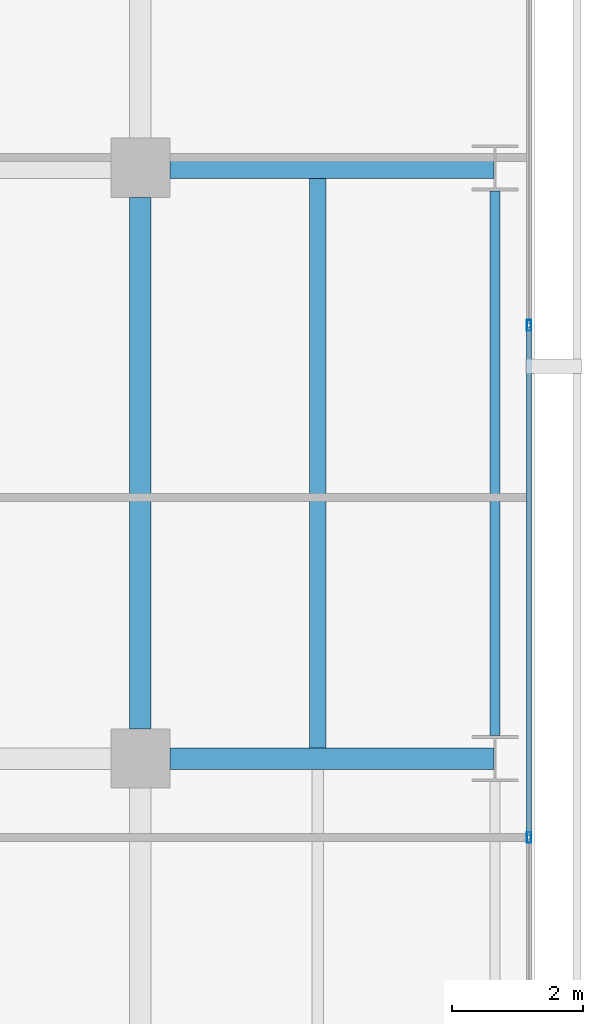
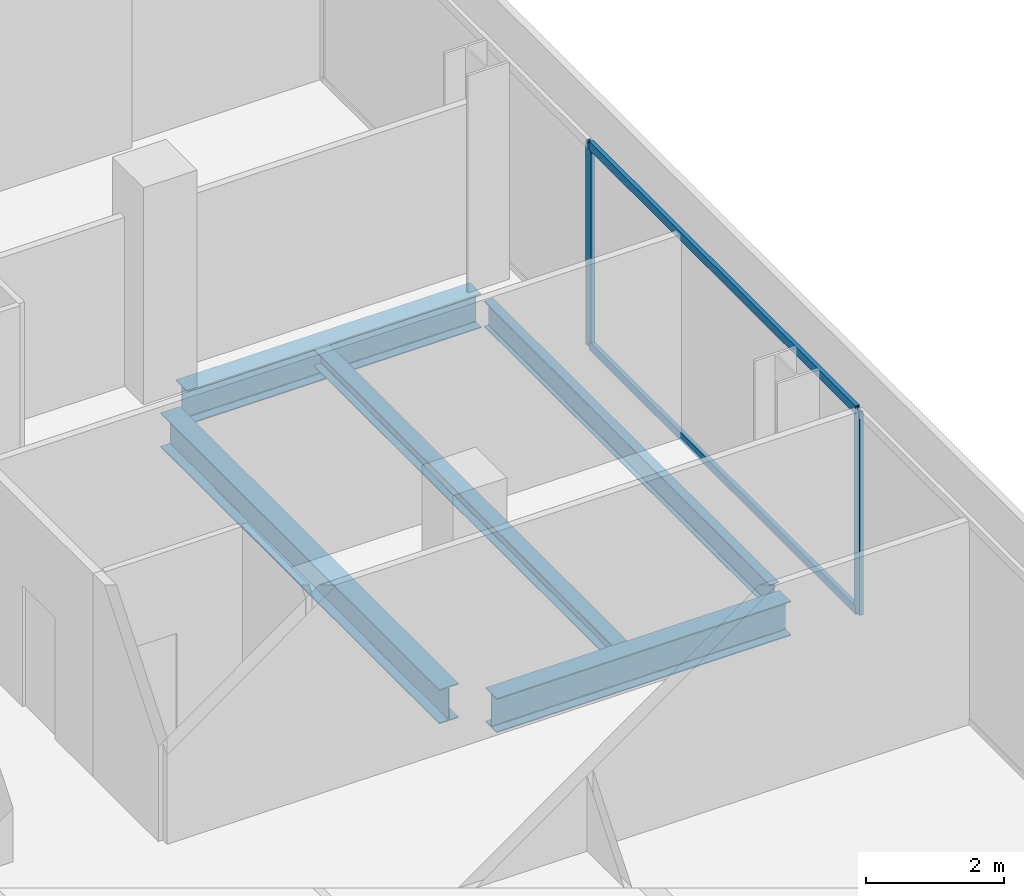
# One storey, part 28 of 40: 5 beams, 4 members, 1 element without a shape of its own.
"""IFC4 building model written with IfcOpenShell, lengths in metres."""

from ifc_helpers import new_model, si_unit, direction, frame, origin, origin_2d, place, context, subcontext, project, spatial, hollow_rectangle, i_section, extrude, material, layer, layer_set, material_profile, profile_set, type_object, element, aggregate, save


model = new_model("IFC4")

# Units and contexts
model_context = context("Model", 3, precision=1e-05, world=origin(), true_north=direction((0.0, 1.0)))
body_context = subcontext(model_context, "Body", "Model", "MODEL_VIEW")
ifc_project = project(units=[si_unit("LENGTHUNIT", "METRE"), si_unit("AREAUNIT", "SQUARE_METRE"), si_unit("VOLUMEUNIT", "CUBIC_METRE"), si_unit("PLANEANGLEUNIT", "RADIAN"), si_unit("MASSUNIT", "GRAM", prefix="KILO")], contexts=[model_context])

# Site, building, storey
site_placement = place(None, origin())
site = spatial("IfcSite", under=ifc_project, at=site_placement, CompositionType="ELEMENT")
building_placement = place(site_placement, origin())
building = spatial("IfcBuilding", under=site, at=building_placement, Name="Maruvema Waterfront Hotel and Observation Tower", CompositionType="ELEMENT")
storey_placement = place(building_placement, frame((0.0, 0.0, 80.85009765625)))
storey = spatial("IfcBuildingStorey", under=building, at=storey_placement, Name="L19", CompositionType="ELEMENT", Elevation=80.85009765625)

# Curtain wall, members
ifc_material_1 = material(Name="Anodised bronze aluminium and solar-control low-E IGU", Category="aluminium")
ifc_layer = layer(ifc_material_1, 0.159912109375, Name="Zone 1 Bronze Inner Thermal Curtain Wall System CW-02")
ifc_layer_set = layer_set([ifc_layer], Name="Anodised bronze aluminium and solar-control low-E IGU")
curtain_wall_type = type_object("IfcCurtainWallType", Name="Zone 1 Bronze Inner Thermal Curtain Wall System CW-02", PredefinedType="USERDEFINED", material=ifc_layer_set)
curtain_wall_placement = place(storey_placement, origin())
curtain_wall = element("IfcCurtainWall", 1, at=curtain_wall_placement, inside=storey, type_object=curtain_wall_type, Name="L19 Curtain Wall CW-L19-E", ObjectType="UNITISED CURTAIN WALL", PredefinedType="USERDEFINED")
ifc_material_2 = material(Name="Anodised architectural bronze aluminium", Category="aluminium")
ifc_material_profile_1 = material_profile(ifc_material_2, hollow_rectangle(XDim=0.070068359375, YDim=0.14990234375, WallThickness=0.00390625, at=origin_2d()), Name="ALU-T70x150")
ifc_profile_set_1 = profile_set([ifc_material_profile_1], Name="Anodised architectural bronze aluminium")
member_type_1 = type_object("IfcMemberType", Name="Curtain Wall Horizontal Transom ALU-T70x150", PredefinedType="USERDEFINED", material=ifc_profile_set_1)
member_1_placement = place(storey_placement, frame((64.719970703125, 34.830078125, 0.02978515625), z_axis=(0.0, 1.0, 0.0), x_axis=(-1.0, 0.0, 0.0)))
member_1 = element("IfcMember", 2, at=member_1_placement, type_object=member_type_1, Name="CW-02 transom 5.1", ObjectType="TRANSOM", PredefinedType="USERDEFINED", context=body_context, shape_type="SweptSolid", body=[
    extrude(hollow_rectangle(XDim=0.070068359375, YDim=0.14990234375, WallThickness=0.00390625, at=origin_2d()), origin(), (0.0, 0.0, 1.0), 7.739990234375),
])
member_2_placement = place(storey_placement, frame((64.719970703125, 34.830078125, 3.579833984375), z_axis=(0.0, 1.0, 0.0), x_axis=(-1.0, 0.0, 0.0)))
member_2 = element("IfcMember", 3, at=member_2_placement, type_object=member_type_1, Name="CW-02 transom 5.2", ObjectType="TRANSOM", PredefinedType="USERDEFINED", context=body_context, shape_type="SweptSolid", body=[
    extrude(hollow_rectangle(XDim=0.070068359375, YDim=0.14990234375, WallThickness=0.00390625, at=origin_2d()), origin(), (0.0, 0.0, 1.0), 7.739990234375),
])
ifc_material_3 = material(Name="Anodised architectural bronze aluminium", Category="aluminium")
ifc_material_profile_2 = material_profile(ifc_material_3, hollow_rectangle(XDim=0.06494140625, YDim=0.1650390625, WallThickness=0.00390625, at=origin_2d()), Name="ALU-M65x165")
ifc_profile_set_2 = profile_set([ifc_material_profile_2], Name="Anodised architectural bronze aluminium")
member_type_2 = type_object("IfcMemberType", Name="Curtain Wall Primary Mullion ALU-M65x165", PredefinedType="MULLION", material=ifc_profile_set_2)
member_3_placement = place(storey_placement, frame((64.719970703125, 34.800048828125, 0.0), z_axis=(0.0, 0.0, 1.0), x_axis=(-1.0, 0.0, 0.0)))
member_3 = element("IfcMember", 4, at=member_3_placement, type_object=member_type_2, Name="CW-02 mullion 5", PredefinedType="MULLION", context=body_context, shape_type="SweptSolid", body=[
    extrude(hollow_rectangle(XDim=0.06494140625, YDim=0.1650390625, WallThickness=0.00390625, at=origin_2d()), origin(), (0.0, 0.0, 1.0), 3.60986328125),
])
member_4_placement = place(storey_placement, frame((64.719970703125, 42.60009765625, 0.0), z_axis=(0.0, 0.0, 1.0), x_axis=(-1.0, 0.0, 0.0)))
member_4 = element("IfcMember", 5, at=member_4_placement, type_object=member_type_2, Name="CW-02 mullion 6", PredefinedType="MULLION", context=body_context, shape_type="SweptSolid", body=[
    extrude(hollow_rectangle(XDim=0.06494140625, YDim=0.1650390625, WallThickness=0.00390625, at=origin_2d()), origin(), (0.0, 0.0, 1.0), 3.60986328125),
])
aggregate(curtain_wall, [member_3, member_4, member_1, member_2])

# Beams
ifc_material_4 = material(Name="Steel ASTM A572 Grade 50", Category="steel")
ifc_material_profile_3 = material_profile(ifc_material_4, i_section(OverallWidth=0.153076171875, OverallDepth=0.455078125, WebThickness=0.008056640625, FlangeThickness=0.01318359375, FilletRadius=0.014892578125, at=origin_2d()), Name="W460x60.0")
ifc_profile_set_3 = profile_set([ifc_material_profile_3], Name="Steel ASTM A572 Grade 50")
beam_type_1 = type_object("IfcBeamType", Name="Perimeter Spandrel Beam W460x60.0", PredefinedType="SPANDREL", material=ifc_profile_set_3)
beam_1_placement = place(storey_placement, frame((64.199951171875, 36.35009765625, -0.467529296875), z_axis=(0.0, 1.0, 0.0), x_axis=(-1.0, 0.0, 0.0)))
element("IfcBeam", 6, at=beam_1_placement, inside=storey, type_object=beam_type_1, Name="L19 Floor Girder NS-36", PredefinedType="SPANDREL", context=body_context, shape_type="SweptSolid", body=[
    extrude(i_section(OverallWidth=0.153076171875, OverallDepth=0.455078125, WebThickness=0.008056640625, FlangeThickness=0.01318359375, FilletRadius=0.014892578125, at=origin_2d()), origin(), (0.0, 0.0, 1.0), 8.2998046875),
])
ifc_material_5 = material(Name="Steel ASTM A572 Grade 50", Category="steel")
ifc_material_profile_4 = material_profile(ifc_material_5, i_section(OverallWidth=0.323974609375, OverallDepth=0.611083984375, WebThickness=0.0126953125, FlangeThickness=0.01904296875, FilletRadius=0.01806640625, at=origin_2d()), Name="W610x155.0")
ifc_profile_set_4 = profile_set([ifc_material_profile_4], Name="Steel ASTM A572 Grade 50")
beam_type_2 = type_object("IfcBeamType", Name="Primary Floor Girder W610x155.0", PredefinedType="BEAM", material=ifc_profile_set_4)
for number, where, z_axis, x_axis, name in (
    (7, (59.25, 36.0, -0.545654296875), (1.0, 0.0, 0.0), (0.0, 1.0, 0.0), "L19 Floor Girder EW-31"),
    (8, (59.25, 45.0, -0.545654296875), (1.0, 0.0, 0.0), (0.0, 1.0, 0.0), "L19 Floor Girder EW-35"),
):
    element("IfcBeam", number, at=place(storey_placement, frame(where, z_axis=z_axis, x_axis=x_axis)), inside=storey, type_object=beam_type_2, Name=name, PredefinedType="BEAM", context=body_context, shape_type="SweptSolid", body=[
        extrude(i_section(OverallWidth=0.323974609375, OverallDepth=0.611083984375, WebThickness=0.0126953125, FlangeThickness=0.01904296875, FilletRadius=0.01806640625, at=origin_2d()), origin(), (0.0, 0.0, 1.0), 4.93603515625),
    ])
beam_2_placement = place(storey_placement, frame((58.800048828125, 36.449951171875, -0.545654296875), z_axis=(0.0, 1.0, 0.0), x_axis=(-1.0, 0.0, 0.0)))
element("IfcBeam", 9, at=beam_2_placement, inside=storey, type_object=beam_type_2, Name="L19 Floor Girder NS-31", PredefinedType="BEAM", context=body_context, shape_type="SweptSolid", body=[
    extrude(i_section(OverallWidth=0.323974609375, OverallDepth=0.611083984375, WebThickness=0.0126953125, FlangeThickness=0.01904296875, FilletRadius=0.01806640625, at=origin_2d()), origin(), (0.0, 0.0, 1.0), 8.10009765625),
])
ifc_material_6 = material(Name="Steel ASTM A572 Grade 50", Category="steel")
ifc_material_profile_5 = material_profile(ifc_material_6, i_section(OverallWidth=0.25390625, OverallDepth=0.305908203125, WebThickness=0.0087890625, FlangeThickness=0.0146484375, FilletRadius=0.014892578125, at=origin_2d()), Name="W310x79.0")
ifc_profile_set_5 = profile_set([ifc_material_profile_5], Name="Steel ASTM A572 Grade 50")
beam_type_3 = type_object("IfcBeamType", Name="Secondary Floor Joist W310x79.0", PredefinedType="JOIST", material=ifc_profile_set_5)
beam_3_placement = place(storey_placement, frame((61.5, 36.162109375, -0.39306640625), z_axis=(0.0, 1.0, 0.0), x_axis=(-1.0, 0.0, 0.0)))
element("IfcBeam", 10, at=beam_3_placement, inside=storey, type_object=beam_type_3, Name="L19 Secondary Floor Joist JS-24", PredefinedType="JOIST", context=body_context, shape_type="SweptSolid", body=[
    extrude(i_section(OverallWidth=0.25390625, OverallDepth=0.305908203125, WebThickness=0.0087890625, FlangeThickness=0.0146484375, FilletRadius=0.014892578125, at=origin_2d()), origin(), (0.0, 0.0, 1.0), 8.67578125),
])

save(model, "model.ifc")
